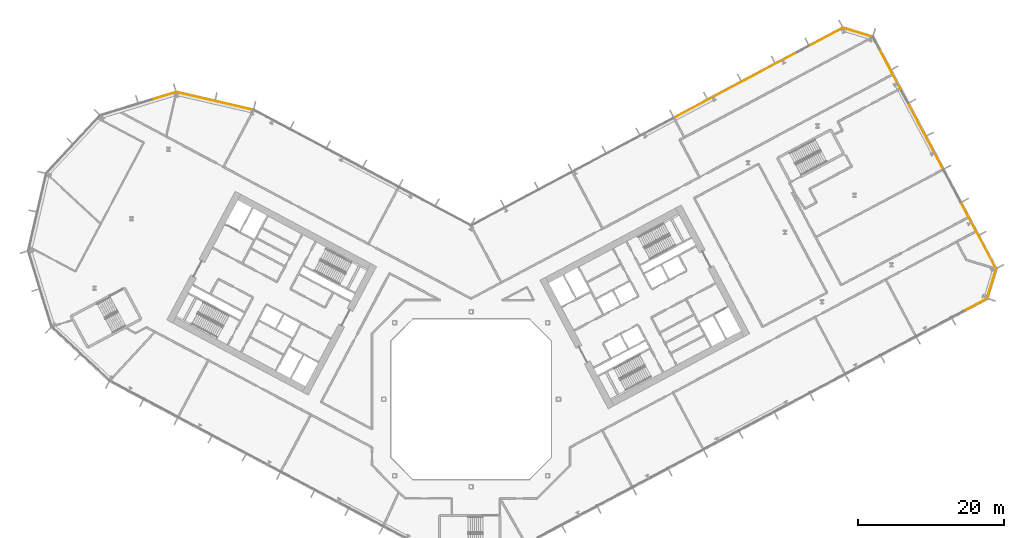
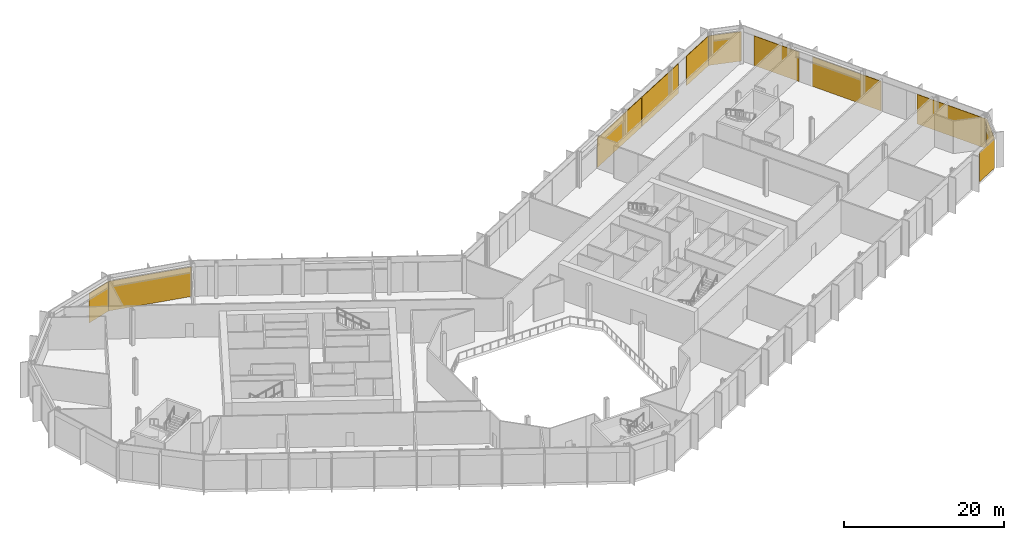
# One storey, part 31 of 32: 11 coverings, 7 elements without a shape of their own.
"""IFC4 building model written with IfcOpenShell, lengths in metres."""

from ifc_helpers import new_model, si_unit, direction, frame, origin, origin_2d, place, context, subcontext, project, spatial, rectangle, extrude, material, layer, layer_set, type_object, element, aggregate, save


model = new_model("IFC4")

# Units and contexts
model_context = context("Model", 3, precision=1e-05, world=origin(), true_north=direction((0.0, 1.0)))
body_context = subcontext(model_context, "Body", "Model", "MODEL_VIEW")
ifc_project = project(units=[si_unit("LENGTHUNIT", "METRE"), si_unit("AREAUNIT", "SQUARE_METRE"), si_unit("VOLUMEUNIT", "CUBIC_METRE"), si_unit("PLANEANGLEUNIT", "RADIAN"), si_unit("MASSUNIT", "GRAM", prefix="KILO")], contexts=[model_context])

# Site, building, storey
site_placement = place(None, origin())
site = spatial("IfcSite", under=ifc_project, at=site_placement, CompositionType="ELEMENT")
building_placement = place(site_placement, origin())
building = spatial("IfcBuilding", under=site, at=building_placement, Name="Cormorant Relay Tower", CompositionType="ELEMENT")
storey_placement = place(building_placement, frame((0.0, 0.0, 28.39990234375)))
storey = spatial("IfcBuildingStorey", under=building, at=storey_placement, Name="L05", CompositionType="ELEMENT", Elevation=28.39990234375)

# Curtain wall, covering
ifc_material_1 = material(Name="Aluminium 6063-T6 anodised bronze", Category="aluminium")
ifc_layer_1 = layer(ifc_material_1, 0.235107421875)
ifc_layer_set_1 = layer_set([ifc_layer_1], Name="CW6 data hall curtain wall with mineral wool panels")
curtain_wall_type = type_object("IfcCurtainWallType", Name="CW6 data hall curtain wall with mineral wool panels", PredefinedType="NOTDEFINED", material=ifc_layer_set_1)
curtain_wall_1_placement = place(storey_placement, origin())
curtain_wall_1 = element("IfcCurtainWall", 1, at=curtain_wall_1_placement, inside=storey, type_object=curtain_wall_type, Name="CW6 curtain wall 2", PredefinedType="NOTDEFINED")
ifc_material_2 = material(Name="Mineral wool cored anodised bronze aluminium cassette panel", Category="aluminium")
ifc_layer_2 = layer(ifc_material_2, 0.074951171875)
ifc_layer_set_2 = layer_set([ifc_layer_2], Name="CW6 mineral wool cassette panel 75")
covering_type = type_object("IfcCoveringType", Name="CW6 mineral wool cassette panel 75", PredefinedType="CLADDING", material=ifc_layer_set_2)
covering_1_placement = place(storey_placement, frame((69.1943359375, 12.96484375, 0.0), z_axis=(0.0, 0.0, 1.0), x_axis=(0.882947592859, 0.469471562786, 0.0)))
covering_1 = element("IfcCovering", 2, at=covering_1_placement, type_object=covering_type, Name="CW6 panel S15", PredefinedType="CLADDING", context=body_context, shape_type="SweptSolid", body=[
    extrude(rectangle(XDim=3.63671875, YDim=0.074951171875, at=origin_2d()), origin(), (0.0, 0.0, 1.0), 4.5),
])
aggregate(curtain_wall_1, [covering_1])

curtain_wall_2_placement = place(storey_placement, origin())
curtain_wall_2 = element("IfcCurtainWall", 3, at=curtain_wall_2_placement, inside=storey, type_object=curtain_wall_type, Name="CW6 curtain wall 3", PredefinedType="NOTDEFINED")
covering_2_placement = place(storey_placement, frame((71.44921875, 15.9052734375, 0.0), z_axis=(0.0, 0.0, 1.0), x_axis=(0.292371704723, 0.956304755963, 0.0)))
covering_2 = element("IfcCovering", 4, at=covering_2_placement, type_object=covering_type, Name="CW6 panel S00", PredefinedType="CLADDING", context=body_context, shape_type="SweptSolid", body=[
    extrude(rectangle(XDim=4.16748046875, YDim=0.074951171875, at=origin_2d()), origin(), (0.0, 0.0, 1.0), 4.5),
])
aggregate(curtain_wall_2, [covering_2])

# Curtain wall, coverings
curtain_wall_3_placement = place(storey_placement, origin())
curtain_wall_3 = element("IfcCurtainWall", 5, at=curtain_wall_3_placement, inside=storey, type_object=curtain_wall_type, Name="CW6 curtain wall 4", PredefinedType="NOTDEFINED")
covering_3_placement = place(storey_placement, frame((69.641357421875, 22.46728515625, 0.0), z_axis=(0.0, 0.0, 1.0), x_axis=(-0.469471562786, 0.882947592859, 0.0)))
covering_3 = element("IfcCovering", 6, at=covering_3_placement, type_object=covering_type, Name="CW6 panel S00", PredefinedType="CLADDING", context=body_context, shape_type="SweptSolid", body=[
    extrude(rectangle(XDim=10.1357421875, YDim=0.074951171875, at=origin_2d()), origin(), (0.0, 0.0, 1.0), 4.5),
])
covering_4_placement = place(storey_placement, frame((62.398193359375, 36.090087890625, 0.0), z_axis=(0.0, 0.0, 1.0), x_axis=(-0.469471562786, 0.882947592859, 0.0)))
covering_4 = element("IfcCovering", 7, at=covering_4_placement, type_object=covering_type, Name="CW6 panel S03", PredefinedType="CLADDING", context=body_context, shape_type="SweptSolid", body=[
    extrude(rectangle(XDim=10.1357421875, YDim=0.074951171875, at=origin_2d()), origin(), (0.0, 0.0, 1.0), 4.5),
])
covering_5_placement = place(storey_placement, frame((57.5517578125, 45.204833984375, 0.0), z_axis=(0.0, 0.0, 1.0), x_axis=(-0.469471562786, 0.882947592859, 0.0)))
covering_5 = element("IfcCovering", 8, at=covering_5_placement, type_object=covering_type, Name="CW6 panel S05", PredefinedType="CLADDING", context=body_context, shape_type="SweptSolid", body=[
    extrude(rectangle(XDim=6.610595703125, YDim=0.074951171875, at=origin_2d()), origin(), (0.0, 0.0, 1.0), 4.5),
])
aggregate(curtain_wall_3, [covering_3, covering_4, covering_5])

# Curtain wall, covering
curtain_wall_4_placement = place(storey_placement, origin())
curtain_wall_4 = element("IfcCurtainWall", 9, at=curtain_wall_4_placement, inside=storey, type_object=curtain_wall_type, Name="CW6 curtain wall 5", PredefinedType="NOTDEFINED")
covering_6_placement = place(storey_placement, frame((53.068115234375, 50.362060546875, 0.0), z_axis=(0.0, 0.0, 1.0), x_axis=(-0.956304755963, 0.292371704723, 0.0)))
covering_6 = element("IfcCovering", 10, at=covering_6_placement, type_object=covering_type, Name="CW6 panel S00", PredefinedType="CLADDING", context=body_context, shape_type="SweptSolid", body=[
    extrude(rectangle(XDim=4.16748046875, YDim=0.074951171875, at=origin_2d()), origin(), (0.0, 0.0, 1.0), 4.5),
])
aggregate(curtain_wall_4, [covering_6])

# Curtain wall, coverings
curtain_wall_5_placement = place(storey_placement, origin())
curtain_wall_5 = element("IfcCurtainWall", 11, at=curtain_wall_5_placement, inside=storey, type_object=curtain_wall_type, Name="CW6 curtain wall 6", PredefinedType="NOTDEFINED")
covering_7_placement = place(storey_placement, frame((48.725830078125, 49.734375, 0.0), z_axis=(0.0, 0.0, 1.0), x_axis=(-0.882947592859, -0.469471562786, 0.0)))
covering_7 = element("IfcCovering", 12, at=covering_7_placement, type_object=covering_type, Name="CW6 panel S00", PredefinedType="CLADDING", context=body_context, shape_type="SweptSolid", body=[
    extrude(rectangle(XDim=5.107666015625, YDim=0.074951171875, at=origin_2d()), origin(), (0.0, 0.0, 1.0), 4.5),
])
covering_8_placement = place(storey_placement, frame((40.9677734375, 45.609375, 0.0), z_axis=(0.0, 0.0, 1.0), x_axis=(-0.882947592859, -0.469471562786, 0.0)))
covering_8 = element("IfcCovering", 13, at=covering_8_placement, type_object=covering_type, Name="CW6 panel S02", PredefinedType="CLADDING", context=body_context, shape_type="SweptSolid", body=[
    extrude(rectangle(XDim=8.565185546875, YDim=0.074951171875, at=origin_2d()), origin(), (0.0, 0.0, 1.0), 4.5),
])
covering_9_placement = place(storey_placement, frame((32.47802734375, 41.09521484375, 0.0), z_axis=(0.0, 0.0, 1.0), x_axis=(-0.882947592859, -0.469471562786, 0.0)))
covering_9 = element("IfcCovering", 14, at=covering_9_placement, type_object=covering_type, Name="CW6 panel S03", PredefinedType="CLADDING", context=body_context, shape_type="SweptSolid", body=[
    extrude(rectangle(XDim=10.365234375, YDim=0.074951171875, at=origin_2d()), origin(), (0.0, 0.0, 1.0), 4.5),
])
aggregate(curtain_wall_5, [covering_7, covering_8, covering_9])

# Curtain wall, covering
curtain_wall_6_placement = place(storey_placement, origin())
curtain_wall_6 = element("IfcCurtainWall", 15, at=curtain_wall_6_placement, inside=storey, type_object=curtain_wall_type, Name="CW6 curtain wall 8", PredefinedType="NOTDEFINED")
covering_10_placement = place(storey_placement, frame((-35.19775390625, 40.935791015625, 0.0), z_axis=(0.0, 0.0, 1.0), x_axis=(-0.974370064785, 0.224951054344, 0.0)))
covering_10 = element("IfcCovering", 16, at=covering_10_placement, type_object=covering_type, Name="CW6 panel S00", PredefinedType="CLADDING", context=body_context, shape_type="SweptSolid", body=[
    extrude(rectangle(XDim=10.79541015625, YDim=0.074951171875, at=origin_2d()), origin(), (0.0, 0.0, 1.0), 4.5),
])
aggregate(curtain_wall_6, [covering_10])

curtain_wall_7_placement = place(storey_placement, origin())
curtain_wall_7 = element("IfcCurtainWall", 17, at=curtain_wall_7_placement, inside=storey, type_object=curtain_wall_type, Name="CW6 curtain wall 9", PredefinedType="NOTDEFINED")
covering_11_placement = place(storey_placement, frame((-42.214599609375, 41.617919921875, 0.0), z_axis=(0.0, 0.0, 1.0), x_axis=(-0.956304755963, -0.292371704723, 0.0)))
covering_11 = element("IfcCovering", 18, at=covering_11_placement, type_object=covering_type, Name="CW6 panel S00", PredefinedType="CLADDING", context=body_context, shape_type="SweptSolid", body=[
    extrude(rectangle(XDim=3.485107421875, YDim=0.074951171875, at=origin_2d()), origin(), (0.0, 0.0, 1.0), 4.5),
])
aggregate(curtain_wall_7, [covering_11])

save(model, "model.ifc")
